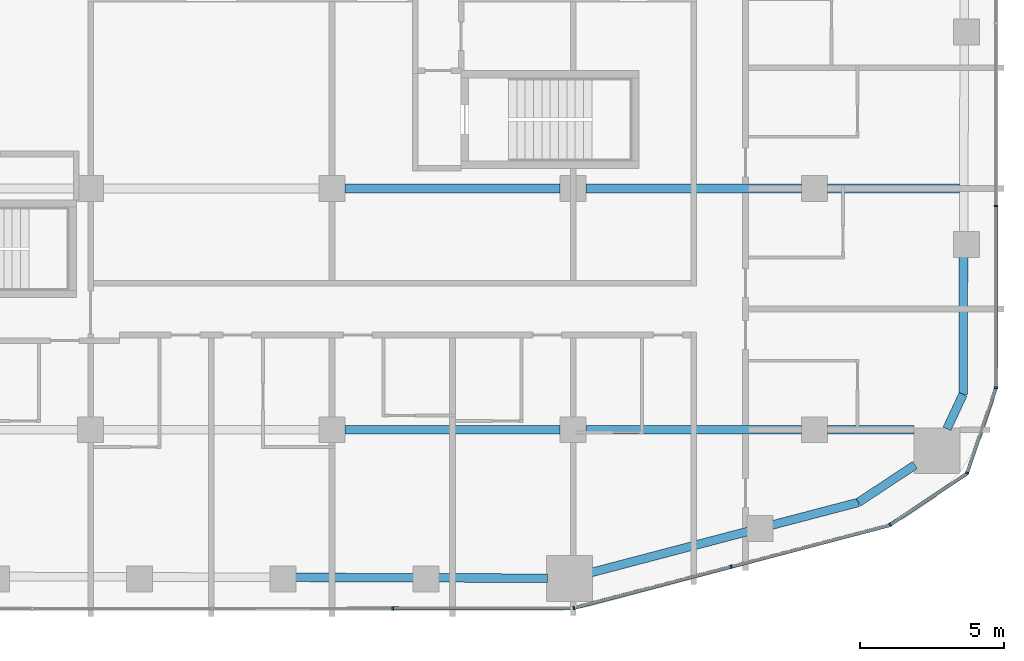
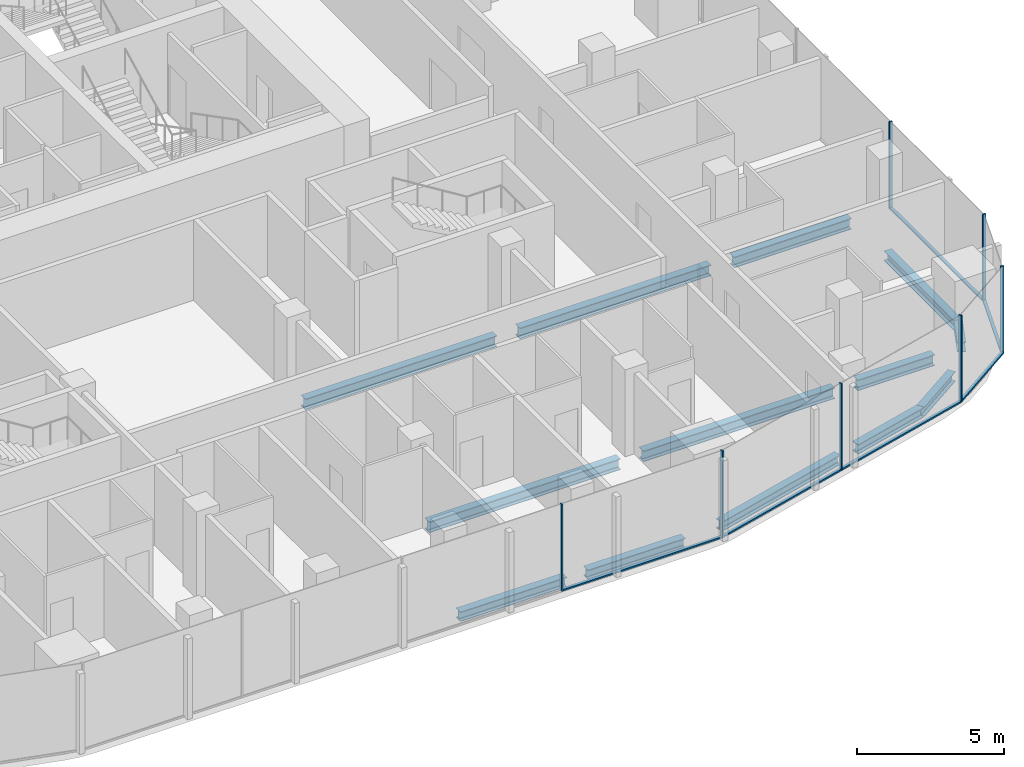
# One storey, part 6 of 23: 13 beams, 13 members, 5 elements without a shape of their own.
"""IFC4 building model written with IfcOpenShell, lengths in metres."""

from ifc_helpers import new_model, si_unit, direction, frame, origin, origin_2d, place, context, subcontext, project, spatial, rectangle, i_section, extrude, material, layer, layer_set, material_profile, profile_set, type_object, element, aggregate, save


model = new_model("IFC4")

# Units and contexts
model_context = context("Model", 3, precision=1e-05, world=origin(), true_north=direction((0.0, 1.0)))
body_context = subcontext(model_context, "Body", "Model", "MODEL_VIEW")
ifc_project = project(units=[si_unit("LENGTHUNIT", "METRE"), si_unit("AREAUNIT", "SQUARE_METRE"), si_unit("VOLUMEUNIT", "CUBIC_METRE"), si_unit("PLANEANGLEUNIT", "RADIAN"), si_unit("MASSUNIT", "GRAM", prefix="KILO")], contexts=[model_context])

# Site, building, storey
site_placement = place(None, origin())
site = spatial("IfcSite", under=ifc_project, at=site_placement, CompositionType="ELEMENT")
building_placement = place(site_placement, origin())
building = spatial("IfcBuilding", under=site, at=building_placement, Name="Marenta Gate Hotel Tower", CompositionType="ELEMENT")
storey_placement = place(building_placement, frame((0.0, 0.0, 112.10009765625)))
storey = spatial("IfcBuildingStorey", under=building, at=storey_placement, Name="L24", CompositionType="ELEMENT", Elevation=112.10009765625)

# Beams
ifc_material_1 = material(Name="Steel S355", Category="steel")
ifc_material_profile_1 = material_profile(ifc_material_1, i_section(OverallWidth=0.300048828125, OverallDepth=0.39990234375, WebThickness=0.013427734375, FlangeThickness=0.02392578125, FilletRadius=0.027099609375, at=origin_2d()), Name="HEB 400")
ifc_profile_set_1 = profile_set([ifc_material_profile_1], Name="Steel S355")
beam_type_1 = type_object("IfcBeamType", Name="Edge beam HEB 400", PredefinedType="SPANDREL", material=ifc_profile_set_1)
beam_1_placement = place(storey_placement, frame((26.191162109375, -10.761962890625, -0.460205078125), z_axis=(-0.003353298899, -0.999994377677, 0.0), x_axis=(0.999994377677, -0.003353298899, 0.0)))
element("IfcBeam", 1, at=beam_1_placement, inside=storey, type_object=beam_type_1, Name="L24-EB-27", PredefinedType="SPANDREL", context=body_context, shape_type="SweptSolid", body=[
    extrude(i_section(OverallWidth=0.300048828125, OverallDepth=0.39990234375, WebThickness=0.013427734375, FlangeThickness=0.02392578125, FilletRadius=0.027099609375, at=origin_2d()), origin(), (0.0, 0.0, 1.0), 4.80517578125),
])
beam_2_placement = place(storey_placement, frame((26.175048828125, -15.567138671875, -0.460205078125), z_axis=(-0.423207780269, -0.906032656541, 0.0), x_axis=(0.906032656541, -0.423207780269, 0.0)))
element("IfcBeam", 2, at=beam_2_placement, inside=storey, type_object=beam_type_1, Name="L24-EB-28", PredefinedType="SPANDREL", context=body_context, shape_type="SweptSolid", body=[
    extrude(i_section(OverallWidth=0.300048828125, OverallDepth=0.39990234375, WebThickness=0.013427734375, FlangeThickness=0.02392578125, FilletRadius=0.027099609375, at=origin_2d()), origin(), (0.0, 0.0, 1.0), 1.326904296875),
])
beam_3_placement = place(storey_placement, frame((24.496337890625, -18.0322265625, -0.460205078125), z_axis=(-0.834496060599, -0.551013906217, 0.0), x_axis=(0.551013906217, -0.834496060599, 0.0)))
element("IfcBeam", 3, at=beam_3_placement, inside=storey, type_object=beam_type_1, Name="L24-EB-29", PredefinedType="SPANDREL", context=body_context, shape_type="SweptSolid", body=[
    extrude(i_section(OverallWidth=0.300048828125, OverallDepth=0.39990234375, WebThickness=0.013427734375, FlangeThickness=0.02392578125, FilletRadius=0.027099609375, at=origin_2d()), origin(), (0.0, 0.0, 1.0), 2.357177734375),
])
beam_4_placement = place(storey_placement, frame((22.529296875, -19.3310546875, -0.460205078125), z_axis=(-0.967224706208, -0.25392197168, 0.0), x_axis=(0.25392197168, -0.967224706208, 0.0)))
element("IfcBeam", 4, at=beam_4_placement, inside=storey, type_object=beam_type_1, Name="L24-EB-30", PredefinedType="SPANDREL", context=body_context, shape_type="SweptSolid", body=[
    extrude(i_section(OverallWidth=0.300048828125, OverallDepth=0.39990234375, WebThickness=0.013427734375, FlangeThickness=0.02392578125, FilletRadius=0.027099609375, at=origin_2d()), origin(), (0.0, 0.0, 1.0), 3.11328125),
])
beam_5_placement = place(storey_placement, frame((18.695556640625, -20.33740234375, -0.460205078125), z_axis=(-0.96723321901, -0.253889542999, 0.0), x_axis=(0.253889542999, -0.96723321901, 0.0)))
element("IfcBeam", 5, at=beam_5_placement, inside=storey, type_object=beam_type_1, Name="L24-EB-31", PredefinedType="SPANDREL", context=body_context, shape_type="SweptSolid", body=[
    extrude(i_section(OverallWidth=0.300048828125, OverallDepth=0.39990234375, WebThickness=0.013427734375, FlangeThickness=0.02392578125, FilletRadius=0.027099609375, at=origin_2d()), origin(), (0.0, 0.0, 1.0), 5.6533203125),
])
beam_6_placement = place(storey_placement, frame((11.706298828125, -21.97021484375, -0.460205078125), z_axis=(-0.999994883969, 0.003198755307, 0.0), x_axis=(-0.003198755307, -0.999994883969, 0.0)))
element("IfcBeam", 6, at=beam_6_placement, inside=storey, type_object=beam_type_1, Name="L24-EB-32", PredefinedType="SPANDREL", context=body_context, shape_type="SweptSolid", body=[
    extrude(i_section(OverallWidth=0.300048828125, OverallDepth=0.39990234375, WebThickness=0.013427734375, FlangeThickness=0.02392578125, FilletRadius=0.027099609375, at=origin_2d()), origin(), (0.0, 0.0, 1.0), 3.816162109375),
])
beam_7_placement = place(storey_placement, frame((7.070068359375, -21.955322265625, -0.460205078125), z_axis=(-0.999994807487, 0.003222576575, 0.0), x_axis=(-0.003222576575, -0.999994807487, 0.0)))
element("IfcBeam", 7, at=beam_7_placement, inside=storey, type_object=beam_type_1, Name="L24-EB-33", PredefinedType="SPANDREL", context=body_context, shape_type="SweptSolid", body=[
    extrude(i_section(OverallWidth=0.300048828125, OverallDepth=0.39990234375, WebThickness=0.013427734375, FlangeThickness=0.02392578125, FilletRadius=0.027099609375, at=origin_2d()), origin(), (0.0, 0.0, 1.0), 4.166748046875),
])
ifc_material_2 = material(Name="Steel S355", Category="steel")
ifc_material_profile_2 = material_profile(ifc_material_2, i_section(OverallWidth=0.300048828125, OverallDepth=0.449951171875, WebThickness=0.013916015625, FlangeThickness=0.02587890625, FilletRadius=0.027099609375, at=origin_2d()), Name="HEB 450")
ifc_profile_set_2 = profile_set([ifc_material_profile_2], Name="Steel S355")
beam_type_2 = type_object("IfcBeamType", Name="Girder HEB 450", PredefinedType="BEAM", material=ifc_profile_set_2)
for number, where, z_axis, x_axis, name in (
    (8, (4.64990234375, -16.800048828125, -0.485107421875), (1.0, 0.0, 0.0), (0.0, 1.0, 0.0), "L24-GD-5"),
    (9, (13.050048828125, -16.800048828125, -0.485107421875), (1.0, 0.0, 0.0), (0.0, 1.0, 0.0), "L24-GD-6"),
):
    element("IfcBeam", number, at=place(storey_placement, frame(where, z_axis=z_axis, x_axis=x_axis)), inside=storey, type_object=beam_type_2, Name=name, PredefinedType="BEAM", context=body_context, shape_type="SweptSolid", body=[
        extrude(i_section(OverallWidth=0.300048828125, OverallDepth=0.449951171875, WebThickness=0.013916015625, FlangeThickness=0.02587890625, FilletRadius=0.027099609375, at=origin_2d()), origin(), (0.0, 0.0, 1.0), 7.5),
    ])
beam_8_placement = place(storey_placement, frame((21.449951171875, -16.800048828125, -0.485107421875), z_axis=(1.0, 0.0, 0.0), x_axis=(0.0, 1.0, 0.0)))
element("IfcBeam", 10, at=beam_8_placement, inside=storey, type_object=beam_type_2, Name="L24-GD-7", PredefinedType="BEAM", context=body_context, shape_type="SweptSolid", body=[
    extrude(i_section(OverallWidth=0.300048828125, OverallDepth=0.449951171875, WebThickness=0.013916015625, FlangeThickness=0.02587890625, FilletRadius=0.027099609375, at=origin_2d()), origin(), (0.0, 0.0, 1.0), 3.012939453125),
])
for number, where, z_axis, x_axis, name in (
    (11, (4.64990234375, -8.39990234375, -0.485107421875), (1.0, 0.0, 0.0), (0.0, 1.0, 0.0), "L24-GD-12"),
    (12, (13.050048828125, -8.39990234375, -0.485107421875), (1.0, 0.0, 0.0), (0.0, 1.0, 0.0), "L24-GD-13"),
):
    element("IfcBeam", number, at=place(storey_placement, frame(where, z_axis=z_axis, x_axis=x_axis)), inside=storey, type_object=beam_type_2, Name=name, PredefinedType="BEAM", context=body_context, shape_type="SweptSolid", body=[
        extrude(i_section(OverallWidth=0.300048828125, OverallDepth=0.449951171875, WebThickness=0.013916015625, FlangeThickness=0.02587890625, FilletRadius=0.027099609375, at=origin_2d()), origin(), (0.0, 0.0, 1.0), 7.5),
    ])
beam_9_placement = place(storey_placement, frame((21.449951171875, -8.39990234375, -0.485107421875), z_axis=(1.0, 0.0, 0.0), x_axis=(0.0, 1.0, 0.0)))
element("IfcBeam", 13, at=beam_9_placement, inside=storey, type_object=beam_type_2, Name="L24-GD-14", PredefinedType="BEAM", context=body_context, shape_type="SweptSolid", body=[
    extrude(i_section(OverallWidth=0.300048828125, OverallDepth=0.449951171875, WebThickness=0.013916015625, FlangeThickness=0.02587890625, FilletRadius=0.027099609375, at=origin_2d()), origin(), (0.0, 0.0, 1.0), 4.59912109375),
])

# Curtain wall, member
ifc_material_3 = material(Name="Tinted insulated glass in bronze anodised frame", Category="glass")
ifc_layer = layer(ifc_material_3, 0.1201171875)
ifc_layer_set = layer_set([ifc_layer], Name="Tinted insulated glass in bronze anodised frame")
curtain_wall_type = type_object("IfcCurtainWallType", Name="Tower unitised curtain wall CW1", PredefinedType="NOTDEFINED", material=ifc_layer_set)
curtain_wall_1_placement = place(storey_placement, origin())
curtain_wall_1 = element("IfcCurtainWall", 14, at=curtain_wall_1_placement, inside=storey, type_object=curtain_wall_type, Name="CW1 run G07", PredefinedType="NOTDEFINED")
ifc_material_4 = material(Name="Bronze anodised aluminium", Category="aluminium")
ifc_material_profile_3 = material_profile(ifc_material_4, rectangle(XDim=0.1201171875, YDim=0.06005859375, at=origin_2d()), Name="Mullion CW1 60x120 bronze anodised aluminium")
ifc_profile_set_3 = profile_set([ifc_material_profile_3], Name="Bronze anodised aluminium")
member_type_1 = type_object("IfcMemberType", Name="Mullion CW1 60x120 bronze anodised aluminium", PredefinedType="MULLION", material=ifc_profile_set_3)
member_1_placement = place(storey_placement, frame((6.32177734375, -23.021728515625, 0.0), z_axis=(0.0, 0.0, 1.0), x_axis=(-0.001362347707, 0.999999072004, 0.0)))
member_1 = element("IfcMember", 15, at=member_1_placement, type_object=member_type_1, Name="CW1 mullion 4", PredefinedType="MULLION", context=body_context, shape_type="SweptSolid", body=[
    extrude(rectangle(XDim=0.1201171875, YDim=0.06005859375, at=origin_2d()), origin(), (0.0, 0.0, 1.0), 3.599853515625),
])

# Curtain wall, members
curtain_wall_2_placement = place(storey_placement, origin())
curtain_wall_2 = element("IfcCurtainWall", 16, at=curtain_wall_2_placement, inside=storey, type_object=curtain_wall_type, Name="CW1 run G08", PredefinedType="NOTDEFINED")
member_2_placement = place(storey_placement, frame((12.626708984375, -23.005615234375, 0.0), z_axis=(0.0, 0.0, 1.0), x_axis=(-0.253374270473, 0.967368326473, 0.0)))
member_2 = element("IfcMember", 17, at=member_2_placement, type_object=member_type_1, Name="CW1 mullion 1", PredefinedType="MULLION", context=body_context, shape_type="SweptSolid", body=[
    extrude(rectangle(XDim=0.1201171875, YDim=0.06005859375, at=origin_2d()), origin(), (0.0, 0.0, 1.0), 3.599853515625),
])
member_3_placement = place(storey_placement, frame((18.102783203125, -21.571533203125, 0.0), z_axis=(0.0, 0.0, 1.0), x_axis=(-0.253374270473, 0.967368326473, 0.0)))
member_3 = element("IfcMember", 18, at=member_3_placement, type_object=member_type_1, Name="CW1 mullion 2", PredefinedType="MULLION", context=body_context, shape_type="SweptSolid", body=[
    extrude(rectangle(XDim=0.1201171875, YDim=0.06005859375, at=origin_2d()), origin(), (0.0, 0.0, 1.0), 3.599853515625),
])

# Curtain wall, member
curtain_wall_3_placement = place(storey_placement, origin())
curtain_wall_3 = element("IfcCurtainWall", 19, at=curtain_wall_3_placement, inside=storey, type_object=curtain_wall_type, Name="CW1 run G09", PredefinedType="NOTDEFINED")
member_4_placement = place(storey_placement, frame((23.632568359375, -20.113037109375, 0.0), z_axis=(0.0, 0.0, 1.0), x_axis=(-0.554016243423, 0.832505857051, 0.0)))
member_4 = element("IfcMember", 20, at=member_4_placement, type_object=member_type_1, Name="CW1 mullion 1", PredefinedType="MULLION", context=body_context, shape_type="SweptSolid", body=[
    extrude(rectangle(XDim=0.1201171875, YDim=0.06005859375, at=origin_2d()), origin(), (0.0, 0.0, 1.0), 3.599853515625),
])

curtain_wall_4_placement = place(storey_placement, origin())
curtain_wall_4 = element("IfcCurtainWall", 21, at=curtain_wall_4_placement, inside=storey, type_object=curtain_wall_type, Name="CW1 run G10", PredefinedType="NOTDEFINED")
member_5_placement = place(storey_placement, frame((26.314453125, -18.30615234375, 0.0), z_axis=(0.0, 0.0, 1.0), x_axis=(-0.946728385013, 0.322033173773, 0.0)))
member_5 = element("IfcMember", 22, at=member_5_placement, type_object=member_type_1, Name="CW1 mullion 1", PredefinedType="MULLION", context=body_context, shape_type="SweptSolid", body=[
    extrude(rectangle(XDim=0.1201171875, YDim=0.06005859375, at=origin_2d()), origin(), (0.0, 0.0, 1.0), 3.599853515625),
])

# Curtain wall, members
curtain_wall_5_placement = place(storey_placement, origin())
curtain_wall_5 = element("IfcCurtainWall", 23, at=curtain_wall_5_placement, inside=storey, type_object=curtain_wall_type, Name="CW1 run G11", PredefinedType="NOTDEFINED")
member_6_placement = place(storey_placement, frame((27.31396484375, -15.337890625, 0.0), z_axis=(0.0, 0.0, 1.0), x_axis=(-1.0, 0.0, 0.0)))
member_6 = element("IfcMember", 24, at=member_6_placement, type_object=member_type_1, Name="CW1 mullion 1", PredefinedType="MULLION", context=body_context, shape_type="SweptSolid", body=[
    extrude(rectangle(XDim=0.1201171875, YDim=0.06005859375, at=origin_2d()), origin(), (0.0, 0.0, 1.0), 3.599853515625),
])
member_7_placement = place(storey_placement, frame((27.31396484375, -9.008056640625, 0.0), z_axis=(0.0, 0.0, 1.0), x_axis=(-1.0, 0.0, 0.0)))
member_7 = element("IfcMember", 25, at=member_7_placement, type_object=member_type_1, Name="CW1 mullion 2", PredefinedType="MULLION", context=body_context, shape_type="SweptSolid", body=[
    extrude(rectangle(XDim=0.1201171875, YDim=0.06005859375, at=origin_2d()), origin(), (0.0, 0.0, 1.0), 3.599853515625),
])

# Member
ifc_material_5 = material(Name="Bronze anodised aluminium", Category="aluminium")
ifc_material_profile_4 = material_profile(ifc_material_5, rectangle(XDim=0.1201171875, YDim=0.06005859375, at=origin_2d()), Name="Transom CW1 60x120 bronze anodised aluminium")
ifc_profile_set_4 = profile_set([ifc_material_profile_4], Name="Bronze anodised aluminium")
member_type_2 = type_object("IfcMemberType", Name="Transom CW1 60x120 bronze anodised aluminium", PredefinedType="USERDEFINED", material=ifc_profile_set_4)
member_8_placement = place(storey_placement, frame((6.351806640625, -23.021728515625, 0.02978515625), z_axis=(0.999999064231, 0.001368041246, 0.0), x_axis=(-0.001368041246, 0.999999064231, 0.0)))
member_8 = element("IfcMember", 26, at=member_8_placement, type_object=member_type_2, Name="CW1 transom 4.1", ObjectType="TRANSOM", PredefinedType="USERDEFINED", context=body_context, shape_type="SweptSolid", body=[
    extrude(rectangle(XDim=0.1201171875, YDim=0.06005859375, at=origin_2d()), origin(), (0.0, 0.0, 1.0), 6.24609375),
])

aggregate(curtain_wall_1, [member_1, member_8])

member_9_placement = place(storey_placement, frame((12.65576171875, -22.998046875, 0.02978515625), z_axis=(0.967374258372, 0.25335162174, 0.0), x_axis=(-0.25335162174, 0.967374258372, 0.0)))
member_9 = element("IfcMember", 27, at=member_9_placement, type_object=member_type_2, Name="CW1 transom 1.1", ObjectType="TRANSOM", PredefinedType="USERDEFINED", context=body_context, shape_type="SweptSolid", body=[
    extrude(rectangle(XDim=0.1201171875, YDim=0.06005859375, at=origin_2d()), origin(), (0.0, 0.0, 1.0), 5.6005859375),
])

member_10_placement = place(storey_placement, frame((18.1318359375, -21.56396484375, 0.02978515625), z_axis=(0.967364420611, 0.253389182357, 0.0), x_axis=(-0.253389182357, 0.967364420611, 0.0)))
member_10 = element("IfcMember", 28, at=member_10_placement, type_object=member_type_2, Name="CW1 transom 2.1", ObjectType="TRANSOM", PredefinedType="USERDEFINED", context=body_context, shape_type="SweptSolid", body=[
    extrude(rectangle(XDim=0.1201171875, YDim=0.06005859375, at=origin_2d()), origin(), (0.0, 0.0, 1.0), 5.66064453125),
])

aggregate(curtain_wall_2, [member_2, member_3, member_9, member_10])

member_11_placement = place(storey_placement, frame((23.657470703125, -20.096435546875, 0.02978515625), z_axis=(0.832522439521, 0.553991324565, 0.0), x_axis=(-0.553991324565, 0.832522439521, 0.0)))
member_11 = element("IfcMember", 29, at=member_11_placement, type_object=member_type_2, Name="CW1 transom 1.1", ObjectType="TRANSOM", PredefinedType="USERDEFINED", context=body_context, shape_type="SweptSolid", body=[
    extrude(rectangle(XDim=0.1201171875, YDim=0.06005859375, at=origin_2d()), origin(), (0.0, 0.0, 1.0), 3.179931640625),
])

aggregate(curtain_wall_3, [member_4, member_11])

member_12_placement = place(storey_placement, frame((26.32421875, -18.27783203125, 0.02978515625), z_axis=(0.322012379162, 0.946735458123, 0.0), x_axis=(-0.946735458123, 0.322012379162, 0.0)))
member_12 = element("IfcMember", 30, at=member_12_placement, type_object=member_type_2, Name="CW1 transom 1.1", ObjectType="TRANSOM", PredefinedType="USERDEFINED", context=body_context, shape_type="SweptSolid", body=[
    extrude(rectangle(XDim=0.1201171875, YDim=0.06005859375, at=origin_2d()), origin(), (0.0, 0.0, 1.0), 3.07373046875),
])

aggregate(curtain_wall_4, [member_5, member_12])

member_13_placement = place(storey_placement, frame((27.31396484375, -15.30810546875, 0.02978515625), z_axis=(0.0, 1.0, 0.0), x_axis=(-1.0, 0.0, 0.0)))
member_13 = element("IfcMember", 31, at=member_13_placement, type_object=member_type_2, Name="CW1 transom 1.1", ObjectType="TRANSOM", PredefinedType="USERDEFINED", context=body_context, shape_type="SweptSolid", body=[
    extrude(rectangle(XDim=0.1201171875, YDim=0.06005859375, at=origin_2d()), origin(), (0.0, 0.0, 1.0), 6.27001953125),
])

aggregate(curtain_wall_5, [member_6, member_7, member_13])

save(model, "model.ifc")
